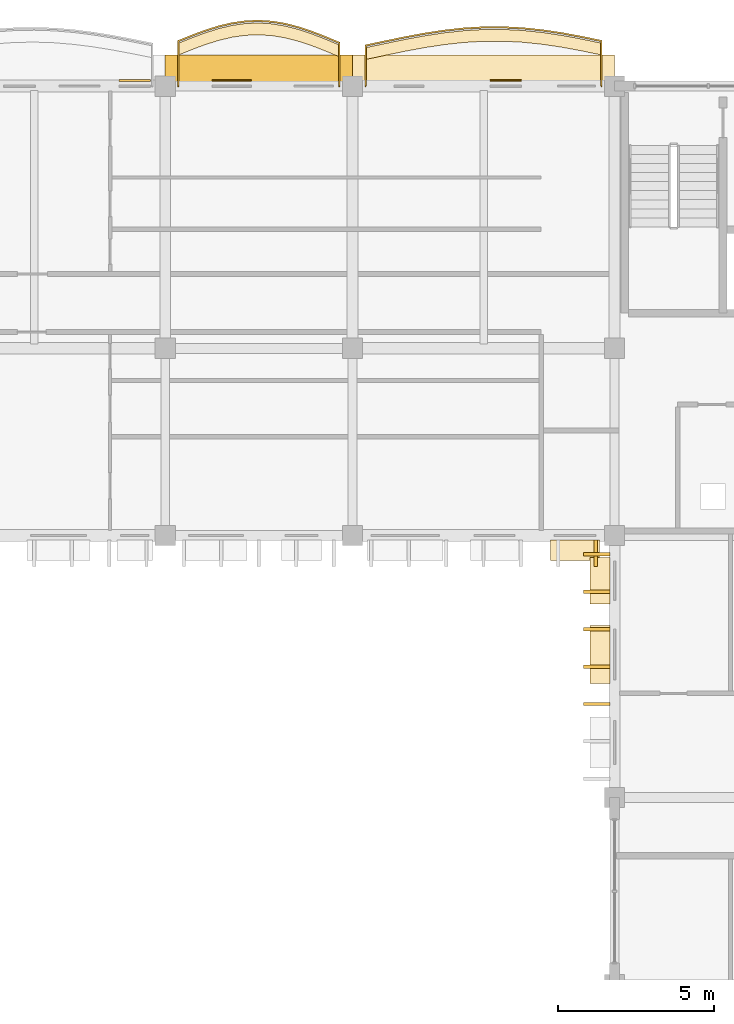
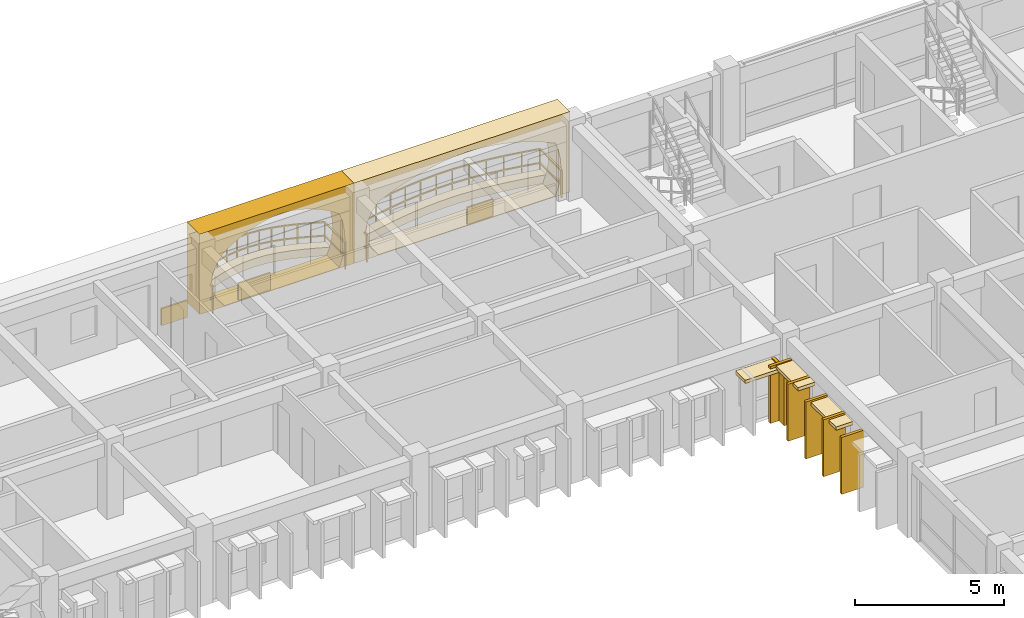
# One storey, part 73 of 76: 16 coverings, 2 railings.
"""IFC4 building model written with IfcOpenShell, lengths in metres."""

from ifc_helpers import new_model, si_unit, direction, frame, origin, origin_2d, place, context, subcontext, project, spatial, polyline, rectangle, outline, extrude, material, layer, layer_set, type_object, element, save


model = new_model("IFC4")

# Units and contexts
model_context = context("Model", 3, precision=1e-05, world=origin(), true_north=direction((0.0, 1.0)))
body_context = subcontext(model_context, "Body", "Model", "MODEL_VIEW")
ifc_project = project(units=[si_unit("LENGTHUNIT", "METRE"), si_unit("AREAUNIT", "SQUARE_METRE"), si_unit("VOLUMEUNIT", "CUBIC_METRE"), si_unit("PLANEANGLEUNIT", "RADIAN"), si_unit("MASSUNIT", "GRAM", prefix="KILO"), si_unit("THERMODYNAMICTEMPERATUREUNIT", "KELVIN")], contexts=[model_context])

# Site, building, storey
site_placement = place(None, origin())
site = spatial("IfcSite", under=ifc_project, at=site_placement, CompositionType="ELEMENT")
building_placement = place(site_placement, origin())
building = spatial("IfcBuilding", under=site, at=building_placement, Name="Thalorik Housing Commons", CompositionType="ELEMENT")
storey_placement = place(building_placement, frame((0.0, 0.0, 18.0)))
storey = spatial("IfcBuildingStorey", under=building, at=storey_placement, Name="L05", CompositionType="ELEMENT", Elevation=18.0)

# Coverings
ifc_material_1 = material(Name="Cobalt blue glazed ceramic facade tile panel", Category="masonry")
ifc_layer_1 = layer(ifc_material_1, 0.06005859375, Name="Cobalt blue glazed ceramic facade tile panel", Category="masonry")
ifc_layer_set_1 = layer_set([ifc_layer_1], Name="Cobalt blue glazed ceramic facade tile panel")
covering_type_1 = type_object("IfcCoveringType", Name="ARC-CLD-BLU-60", PredefinedType="CLADDING", material=ifc_layer_set_1)
covering_1_placement = place(storey_placement, frame((140.135009765625, 123.780029296875, 0.0498046875), z_axis=(0.0, 0.0, 1.0), x_axis=(-1.0, 0.0, 0.0)))
element("IfcCovering", 1, at=covering_1_placement, inside=storey, type_object=covering_type_1, Name="L05 De Stijl Recessed Window Spandrel 2211", PredefinedType="CLADDING", context=body_context, shape_type="SweptSolid", body=[
    extrude(rectangle(XDim=1.25, YDim=0.06005859375, at=origin_2d()), origin(), (0.0, 0.0, 1.0), 0.699951171875),
])
ifc_material_2 = material(Name="Precast concrete C40/50", Category="concrete")
ifc_layer_2 = layer(ifc_material_2, 0.85009765625, Name="Precast concrete C40/50", Category="concrete")
ifc_layer_set_2 = layer_set([ifc_layer_2], Name="Precast concrete C40/50")
covering_type_2 = type_object("IfcCoveringType", Name="ARC-CLD-CUSH-850", PredefinedType="CLADDING", material=ifc_layer_set_2)
covering_2_placement = place(storey_placement, frame((148.199951171875, 124.169921875, 0.0), z_axis=(0.0, 0.0, 1.0), x_axis=(-1.0, 0.0, 0.0)))
element("IfcCovering", 2, at=covering_2_placement, inside=storey, type_object=covering_type_2, Name="L05 White Precast Curved Cushion Bay Frame 2208", PredefinedType="CLADDING", context=body_context, shape_type="SweptSolid", body=[
    extrude(outline(polyline([(-4.199951171875, 0.0), (4.199951171875, 0.0), (4.199951171875, 3.300048828125), (-4.199951171875, 3.300048828125), (-4.199951171875, 0.0)]), holes=[polyline([(3.239990234375, 0.02490234375), (3.523193359375, 0.387451171875), (3.693359375, 0.75), (3.75, 1.112548828125), (3.693359375, 1.47509765625), (3.523193359375, 1.83740234375), (3.239990234375, 2.199951171875), (2.66748046875, 2.455810546875), (2.094970703125, 2.656494140625), (1.5224609375, 2.819091796875), (0.949951171875, 2.940185546875), (0.37744140625, 3.014892578125), (-0.195068359375, 3.0400390625), (-0.767578125, 3.014892578125), (-1.340087890625, 2.940185546875), (-1.91259765625, 2.819091796875), (-2.485107421875, 2.656494140625), (-3.0576171875, 2.455810546875), (-3.6298828125, 2.199951171875), (-3.750244140625, 1.83740234375), (-3.822509765625, 1.47509765625), (-3.8466796875, 1.112548828125), (-3.822509765625, 0.75), (-3.750244140625, 0.387451171875), (-3.6298828125, 0.02490234375), (3.239990234375, 0.02490234375)])]), frame((0.0, 0.425048828125, 0.0), z_axis=(0.0, -1.0, 0.0), x_axis=(1.0, 0.0, 0.0)), (0.0, 0.0, 1.0), 0.85009765625),
])
covering_3_placement = place(storey_placement, frame((141.0, 124.169921875, 0.0), z_axis=(0.0, 0.0, 1.0), x_axis=(-1.0, 0.0, 0.0)))
element("IfcCovering", 3, at=covering_3_placement, inside=storey, type_object=covering_type_2, Name="L05 White Precast Curved Cushion Bay Frame 2210", PredefinedType="CLADDING", context=body_context, shape_type="SweptSolid", body=[
    extrude(outline(polyline([(-3.0, 0.0), (3.0, 0.0), (3.0, 3.300048828125), (-3.0, 3.300048828125), (-3.0, 0.0)]), holes=[polyline([(2.0400390625, 0.02490234375), (2.3232421875, 0.394287109375), (2.493408203125, 0.76318359375), (2.550048828125, 1.132568359375), (2.493408203125, 1.501708984375), (2.3232421875, 1.870849609375), (2.0400390625, 2.239990234375), (1.66748046875, 2.4833984375), (1.294921875, 2.6748046875), (0.922607421875, 2.82958984375), (0.550048828125, 2.94482421875), (0.177490234375, 3.01611328125), (-0.195068359375, 3.0400390625), (-0.5673828125, 3.01611328125), (-0.93994140625, 2.94482421875), (-1.3125, 2.82958984375), (-1.68505859375, 2.6748046875), (-2.0576171875, 2.4833984375), (-2.429931640625, 2.239990234375), (-2.55029296875, 1.870849609375), (-2.62255859375, 1.501708984375), (-2.646484375, 1.132568359375), (-2.62255859375, 0.76318359375), (-2.55029296875, 0.394287109375), (-2.429931640625, 0.02490234375), (2.0400390625, 0.02490234375)])]), frame((0.0, 0.425048828125, 0.0), z_axis=(0.0, -1.0, 0.0), x_axis=(1.0, 0.0, 0.0)), (0.0, 0.0, 1.0), 0.85009765625),
])
ifc_layer_3 = layer(ifc_material_2, 0.85009765625, Name="Precast concrete C40/50", Category="concrete")
ifc_layer_set_3 = layer_set([ifc_layer_3], Name="Precast concrete C40/50")
covering_type_3 = type_object("IfcCoveringType", Name="ARC-CLD-FIN-850", PredefinedType="CLADDING", material=ifc_layer_set_3)
covering_4_placement = place(storey_placement, frame((151.800048828125, 108.6298828125, 0.0400390625), z_axis=(0.0, 0.0, 1.0), x_axis=(1.0, 0.0, 0.0)))
element("IfcCovering", 4, at=covering_4_placement, inside=storey, type_object=covering_type_3, Name="L05 Courtyard Precast Vertical Brise-Soleil Fin 2308", PredefinedType="CLADDING", context=body_context, shape_type="SweptSolid", body=[
    extrude(rectangle(XDim=0.110107421875, YDim=0.85009765625, at=origin_2d()), origin(), (0.0, 0.0, 1.0), 2.294921875),
])
for number, where, z_axis, x_axis, name in (
    (5, (151.830078125, 108.60009765625, 0.0400390625), (0.0, 0.0, 1.0), (0.0, -1.0, 0.0), "L05 Courtyard Precast Vertical Brise-Soleil Fin 2312"),
    (6, (151.830078125, 107.39990234375, 0.0400390625), (0.0, 0.0, 1.0), (0.0, -1.0, 0.0), "L05 Courtyard Precast Vertical Brise-Soleil Fin 2313"),
    (7, (151.830078125, 106.199951171875, 0.0400390625), (0.0, 0.0, 1.0), (0.0, -1.0, 0.0), "L05 Courtyard Precast Vertical Brise-Soleil Fin 2314"),
    (8, (151.830078125, 105.0, 0.0400390625), (0.0, 0.0, 1.0), (0.0, -1.0, 0.0), "L05 Courtyard Precast Vertical Brise-Soleil Fin 2315"),
    (9, (151.830078125, 103.800048828125, 0.0400390625), (0.0, 0.0, 1.0), (0.0, -1.0, 0.0), "L05 Courtyard Precast Vertical Brise-Soleil Fin 2316"),
):
    element("IfcCovering", number, at=place(storey_placement, frame(where, z_axis=z_axis, x_axis=x_axis)), inside=storey, type_object=covering_type_3, Name=name, PredefinedType="CLADDING", context=body_context, shape_type="SweptSolid", body=[
        extrude(rectangle(XDim=0.110107421875, YDim=0.85009765625, at=origin_2d()), origin(), (0.0, 0.0, 1.0), 2.344970703125),
    ])
ifc_layer_4 = layer(ifc_material_2, 0.64990234375, Name="Precast concrete C40/50", Category="concrete")
ifc_layer_set_4 = layer_set([ifc_layer_4], Name="Precast concrete C40/50")
covering_type_4 = type_object("IfcCoveringType", Name="ARC-CLD-HOOD-650", PredefinedType="CLADDING", material=ifc_layer_set_4)
covering_5_placement = place(storey_placement, frame((151.1298828125, 108.72998046875, 2.14013671875), z_axis=(0.0, 0.0, 1.0), x_axis=(1.0, 0.0, 0.0)))
element("IfcCovering", 10, at=covering_5_placement, inside=storey, type_object=covering_type_4, Name="L05 Courtyard Precast Window Sun-Hood 2311", PredefinedType="CLADDING", context=body_context, shape_type="SweptSolid", body=[
    extrude(rectangle(XDim=1.56005859375, YDim=0.64990234375, at=origin_2d()), origin(), (0.0, 0.0, 1.0), 0.139892578125),
])
covering_6_placement = place(storey_placement, frame((151.929931640625, 107.757568359375, 2.240234375), z_axis=(0.0, 0.0, 1.0), x_axis=(0.0, -1.0, 0.0)))
element("IfcCovering", 11, at=covering_6_placement, inside=storey, type_object=covering_type_4, Name="L05 Courtyard Precast Window Sun-Hood 2319", PredefinedType="CLADDING", context=body_context, shape_type="SweptSolid", body=[
    extrude(rectangle(XDim=1.489990234375, YDim=0.64990234375, at=origin_2d()), origin(), (0.0, 0.0, 1.0), 0.139892578125),
])
covering_7_placement = place(storey_placement, frame((151.929931640625, 105.392578125, 2.169921875), z_axis=(0.0, 0.0, 1.0), x_axis=(0.0, -1.0, 0.0)))
element("IfcCovering", 12, at=covering_7_placement, inside=storey, type_object=covering_type_4, Name="L05 Courtyard Precast Window Sun-Hood 2320", PredefinedType="CLADDING", context=body_context, shape_type="SweptSolid", body=[
    extrude(rectangle(XDim=1.860107421875, YDim=0.64990234375, at=origin_2d()), origin(), (0.0, 0.0, 1.0), 0.139892578125),
])
ifc_material_3 = material(Name="Terracotta red mineral fibre-cement panel", Category="masonry")
ifc_layer_5 = layer(ifc_material_3, 0.054931640625, Name="Terracotta red mineral fibre-cement panel", Category="masonry")
ifc_layer_set_5 = layer_set([ifc_layer_5], Name="Terracotta red mineral fibre-cement panel")
covering_type_5 = type_object("IfcCoveringType", Name="ARC-CLD-RED-55", PredefinedType="CLADDING", material=ifc_layer_set_5)
covering_8_placement = place(storey_placement, frame((148.909912109375, 123.777587890625, 0.0498046875), z_axis=(0.0, 0.0, 1.0), x_axis=(-1.0, 0.0, 0.0)))
element("IfcCovering", 13, at=covering_8_placement, inside=storey, type_object=covering_type_5, Name="L05 De Stijl Recessed Window Spandrel 2209", PredefinedType="CLADDING", context=body_context, shape_type="SweptSolid", body=[
    extrude(rectangle(XDim=1.0, YDim=0.054931640625, at=origin_2d()), origin(), (0.0, 0.0, 1.0), 0.699951171875),
])
ifc_material_4 = material(Name="Mineral ochre architectural terracotta panel", Category="masonry")
ifc_layer_6 = layer(ifc_material_4, 0.06494140625, Name="Mineral ochre architectural terracotta panel", Category="masonry")
ifc_layer_set_6 = layer_set([ifc_layer_6], Name="Mineral ochre architectural terracotta panel")
covering_type_6 = type_object("IfcCoveringType", Name="ARC-CLD-YEL-65", PredefinedType="CLADDING", material=ifc_layer_set_6)
covering_9_placement = place(storey_placement, frame((137.02099609375, 123.782470703125, 0.0498046875), z_axis=(0.0, 0.0, 1.0), x_axis=(-1.0, 0.0, 0.0)))
element("IfcCovering", 14, at=covering_9_placement, inside=storey, type_object=covering_type_6, Name="L05 De Stijl Recessed Window Spandrel 2213", PredefinedType="CLADDING", context=body_context, shape_type="SweptSolid", body=[
    extrude(rectangle(XDim=1.0, YDim=0.06494140625, at=origin_2d()), origin(), (0.0, 0.0, 1.0), 0.699951171875),
])
ifc_material_5 = material(Name="Planted vegetated substrate and terracotta trough", Category="masonry")
ifc_layer_7 = layer(ifc_material_5, 0.340087890625, Name="Planted vegetated substrate and terracotta trough", Category="masonry")
ifc_layer_set_7 = layer_set([ifc_layer_7], Name="Planted vegetated substrate and terracotta trough")
covering_type_7 = type_object("IfcCoveringType", Name="ARC-COV-PLANTER", PredefinedType="USERDEFINED", material=ifc_layer_set_7)
covering_10_placement = place(storey_placement, origin())
element("IfcCovering", 15, at=covering_10_placement, inside=storey, type_object=covering_type_7, Name="L05 Balcony Slab-Edge Planted Trough 5476", ObjectType="PLANTER", PredefinedType="USERDEFINED", context=body_context, shape_type="SweptSolid", body=[
    extrude(outline(polyline([(143.580078125, 124.920654296875), (143.14990234375, 125.1005859375), (142.719970703125, 125.26806640625), (142.2900390625, 125.41259765625), (141.860107421875, 125.524658203125), (141.429931640625, 125.597412109375), (141.0, 125.6259765625), (140.570068359375, 125.60888671875), (140.139892578125, 125.547119140625), (139.7099609375, 125.4453125), (139.280029296875, 125.31005859375), (138.85009765625, 125.150146484375), (138.419921875, 124.976318359375), (138.419921875, 124.59619140625), (138.85009765625, 124.770263671875), (139.280029296875, 124.93017578125), (139.7099609375, 125.0654296875), (140.139892578125, 125.167236328125), (140.570068359375, 125.228759765625), (141.0, 125.245849609375), (141.429931640625, 125.21728515625), (141.860107421875, 125.144775390625), (142.2900390625, 125.032470703125), (142.719970703125, 124.88818359375), (143.14990234375, 124.720458984375), (143.580078125, 124.540771484375), (143.580078125, 124.920654296875)])), origin(), (0.0, 0.0, 1.0), 0.340087890625),
])
covering_11_placement = place(storey_placement, origin())
element("IfcCovering", 16, at=covering_11_placement, inside=storey, type_object=covering_type_7, Name="L05 Balcony Slab-Edge Planted Trough 5477", ObjectType="PLANTER", PredefinedType="USERDEFINED", context=body_context, shape_type="SweptSolid", body=[
    extrude(outline(polyline([(151.97998046875, 124.978515625), (151.35009765625, 125.110107421875), (150.719970703125, 125.226806640625), (150.090087890625, 125.32080078125), (149.4599609375, 125.386474609375), (148.830078125, 125.4189453125), (148.199951171875, 125.41650390625), (147.570068359375, 125.379638671875), (146.93994140625, 125.310791015625), (146.31005859375, 125.214599609375), (145.679931640625, 125.09765625), (145.050048828125, 124.968017578125), (144.419921875, 124.834228515625), (144.419921875, 124.4541015625), (145.050048828125, 124.587890625), (145.679931640625, 124.717529296875), (146.31005859375, 124.83447265625), (146.93994140625, 124.9306640625), (147.570068359375, 124.99951171875), (148.199951171875, 125.03662109375), (148.830078125, 125.038818359375), (149.4599609375, 125.00634765625), (150.090087890625, 124.94091796875), (150.719970703125, 124.8466796875), (151.35009765625, 124.72998046875), (151.97998046875, 124.5986328125), (151.97998046875, 124.978515625)])), origin(), (0.0, 0.0, 1.0), 0.340087890625),
])

# Railings
ifc_material_6 = material(Name="Steel S355", Category="steel")
railing_type_1 = type_object("IfcRailingType", Name="ARC-RL-BAL-112", PredefinedType="BALUSTRADE", material=ifc_material_6)
railing_1_placement = place(storey_placement, frame((143.580078125, 123.60009765625, 0.0)))
element("IfcRailing", 17, at=railing_1_placement, inside=storey, type_object=railing_type_1, Name="L05 Cushion Balcony Guardrail 160", PredefinedType="BALUSTRADE", context=body_context, shape_type="SweptSolid", body=[
    extrude(rectangle(XDim=0.050048828125, YDim=0.050048828125, at=origin_2d()), frame((0.0, 0.0, 1.09521484375), z_axis=(0.0, 1.0, 0.0), x_axis=(-1.0, 0.0, 0.0)), (0.0, 0.0, 1.0), 1.390625),
    extrude(rectangle(XDim=0.050048828125, YDim=0.050048828125, at=origin_2d()), frame((0.0, 0.0, 0.53515625), z_axis=(0.0, 1.0, 0.0), x_axis=(-1.0, 0.0, 0.0)), (0.0, 0.0, 1.0), 1.390625),
    extrude(rectangle(XDim=0.050048828125, YDim=0.050048828125, at=origin_2d()), frame((0.0, 1.390625, 1.09521484375), z_axis=(-0.922735699508, 0.385433300135, 0.0), x_axis=(-0.385433300135, -0.922735699508, 0.0)), (0.0, 0.0, 1.0), 0.46630859375),
    extrude(rectangle(XDim=0.050048828125, YDim=0.050048828125, at=origin_2d()), frame((0.0, 1.390625, 0.53515625), z_axis=(-0.922735699508, 0.385433300135, 0.0), x_axis=(-0.385433300135, -0.922735699508, 0.0)), (0.0, 0.0, 1.0), 0.46630859375),
    extrude(rectangle(XDim=0.050048828125, YDim=0.050048828125, at=origin_2d()), frame((-0.43017578125, 1.5703125, 1.09521484375), z_axis=(-0.931616942852, 0.363441703429, 0.0), x_axis=(-0.363441703429, -0.931616942852, 0.0)), (0.0, 0.0, 1.0), 0.46142578125),
    extrude(rectangle(XDim=0.050048828125, YDim=0.050048828125, at=origin_2d()), frame((-0.43017578125, 1.5703125, 0.53515625), z_axis=(-0.931616942852, 0.363441703429, 0.0), x_axis=(-0.363441703429, -0.931616942852, 0.0)), (0.0, 0.0, 1.0), 0.46142578125),
    extrude(rectangle(XDim=0.050048828125, YDim=0.050048828125, at=origin_2d()), frame((-0.860107421875, 1.738037109375, 1.09521484375), z_axis=(-0.948035297772, 0.318165168077, 0.0), x_axis=(-0.318165168077, -0.948035297772, 0.0)), (0.0, 0.0, 1.0), 0.45361328125),
    extrude(rectangle(XDim=0.050048828125, YDim=0.050048828125, at=origin_2d()), frame((-0.860107421875, 1.738037109375, 0.53515625), z_axis=(-0.948035297772, 0.318165168077, 0.0), x_axis=(-0.318165168077, -0.948035297772, 0.0)), (0.0, 0.0, 1.0), 0.45361328125),
    extrude(rectangle(XDim=0.050048828125, YDim=0.050048828125, at=origin_2d()), frame((-1.2900390625, 1.88232421875, 1.09521484375), z_axis=(-0.967535537468, 0.252735006948, 0.0), x_axis=(-0.252735006948, -0.967535537468, 0.0)), (0.0, 0.0, 1.0), 0.4443359375),
    extrude(rectangle(XDim=0.050048828125, YDim=0.050048828125, at=origin_2d()), frame((-1.2900390625, 1.88232421875, 0.53515625), z_axis=(-0.967535537468, 0.252735006948, 0.0), x_axis=(-0.252735006948, -0.967535537468, 0.0)), (0.0, 0.0, 1.0), 0.4443359375),
    extrude(rectangle(XDim=0.050048828125, YDim=0.050048828125, at=origin_2d()), frame((-1.719970703125, 1.99462890625, 1.09521484375), z_axis=(-0.98608974454, 0.166213765113, 0.0), x_axis=(-0.166213765113, -0.98608974454, 0.0)), (0.0, 0.0, 1.0), 0.436279296875),
    extrude(rectangle(XDim=0.050048828125, YDim=0.050048828125, at=origin_2d()), frame((-1.719970703125, 1.99462890625, 0.53515625), z_axis=(-0.98608974454, 0.166213765113, 0.0), x_axis=(-0.166213765113, -0.98608974454, 0.0)), (0.0, 0.0, 1.0), 0.436279296875),
    extrude(rectangle(XDim=0.050048828125, YDim=0.050048828125, at=origin_2d()), frame((-2.150146484375, 2.067138671875, 1.09521484375), z_axis=(-0.997800175086, 0.06629336768, 0.0), x_axis=(-0.06629336768, -0.997800175086, 0.0)), (0.0, 0.0, 1.0), 0.430908203125),
    extrude(rectangle(XDim=0.050048828125, YDim=0.050048828125, at=origin_2d()), frame((-2.150146484375, 2.067138671875, 0.53515625), z_axis=(-0.997800175086, 0.06629336768, 0.0), x_axis=(-0.06629336768, -0.997800175086, 0.0)), (0.0, 0.0, 1.0), 0.430908203125),
    extrude(rectangle(XDim=0.050048828125, YDim=0.050048828125, at=origin_2d()), frame((-2.580078125, 2.095703125, 1.09521484375), z_axis=(-0.999210898113, -0.039718775053, 0.0), x_axis=(0.039718775053, -0.999210898113, 0.0)), (0.0, 0.0, 1.0), 0.43017578125),
    extrude(rectangle(XDim=0.050048828125, YDim=0.050048828125, at=origin_2d()), frame((-2.580078125, 2.095703125, 0.53515625), z_axis=(-0.999210898113, -0.039718775053, 0.0), x_axis=(0.039718775053, -0.999210898113, 0.0)), (0.0, 0.0, 1.0), 0.43017578125),
    extrude(rectangle(XDim=0.050048828125, YDim=0.050048828125, at=origin_2d()), frame((-3.010009765625, 2.07861328125, 1.09521484375), z_axis=(-0.989927008359, -0.141578664079, 0.0), x_axis=(0.141578664079, -0.989927008359, 0.0)), (0.0, 0.0, 1.0), 0.4345703125),
    extrude(rectangle(XDim=0.050048828125, YDim=0.050048828125, at=origin_2d()), frame((-3.010009765625, 2.07861328125, 0.53515625), z_axis=(-0.989927008359, -0.141578664079, 0.0), x_axis=(0.141578664079, -0.989927008359, 0.0)), (0.0, 0.0, 1.0), 0.4345703125),
    extrude(rectangle(XDim=0.050048828125, YDim=0.050048828125, at=origin_2d()), frame((-3.440185546875, 2.01708984375, 1.09521484375), z_axis=(-0.973090069964, -0.230425076192, 0.0), x_axis=(0.230425076192, -0.973090069964, 0.0)), (0.0, 0.0, 1.0), 0.44189453125),
    extrude(rectangle(XDim=0.050048828125, YDim=0.050048828125, at=origin_2d()), frame((-3.440185546875, 2.01708984375, 0.53515625), z_axis=(-0.973090069964, -0.230425076192, 0.0), x_axis=(0.230425076192, -0.973090069964, 0.0)), (0.0, 0.0, 1.0), 0.44189453125),
    extrude(rectangle(XDim=0.050048828125, YDim=0.050048828125, at=origin_2d()), frame((-3.8701171875, 1.915283203125, 1.09521484375), z_axis=(-0.953909569084, -0.300094208559, 0.0), x_axis=(0.300094208559, -0.953909569084, 0.0)), (0.0, 0.0, 1.0), 0.45068359375),
    extrude(rectangle(XDim=0.050048828125, YDim=0.050048828125, at=origin_2d()), frame((-3.8701171875, 1.915283203125, 0.53515625), z_axis=(-0.953909569084, -0.300094208559, 0.0), x_axis=(0.300094208559, -0.953909569084, 0.0)), (0.0, 0.0, 1.0), 0.45068359375),
    extrude(rectangle(XDim=0.050048828125, YDim=0.050048828125, at=origin_2d()), frame((-4.300048828125, 1.780029296875, 1.09521484375), z_axis=(-0.93726634386, -0.348614114269, 0.0), x_axis=(0.348614114269, -0.93726634386, 0.0)), (0.0, 0.0, 1.0), 0.458740234375),
    extrude(rectangle(XDim=0.050048828125, YDim=0.050048828125, at=origin_2d()), frame((-4.300048828125, 1.780029296875, 0.53515625), z_axis=(-0.93726634386, -0.348614114269, 0.0), x_axis=(0.348614114269, -0.93726634386, 0.0)), (0.0, 0.0, 1.0), 0.458740234375),
    extrude(rectangle(XDim=0.050048828125, YDim=0.050048828125, at=origin_2d()), frame((-4.72998046875, 1.6201171875, 1.09521484375), z_axis=(-0.927164518646, -0.374654447943, 0.0), x_axis=(0.374654447943, -0.927164518646, 0.0)), (0.0, 0.0, 1.0), 0.4638671875),
    extrude(rectangle(XDim=0.050048828125, YDim=0.050048828125, at=origin_2d()), frame((-4.72998046875, 1.6201171875, 0.53515625), z_axis=(-0.927164518646, -0.374654447943, 0.0), x_axis=(0.374654447943, -0.927164518646, 0.0)), (0.0, 0.0, 1.0), 0.4638671875),
    extrude(rectangle(XDim=0.050048828125, YDim=0.050048828125, at=origin_2d()), frame((-5.16015625, 1.4462890625, 1.09521484375), z_axis=(0.0, -1.0, 0.0), x_axis=(1.0, 0.0, 0.0)), (0.0, 0.0, 1.0), 1.4462890625),
    extrude(rectangle(XDim=0.050048828125, YDim=0.050048828125, at=origin_2d()), frame((-5.16015625, 1.4462890625, 0.53515625), z_axis=(0.0, -1.0, 0.0), x_axis=(1.0, 0.0, 0.0)), (0.0, 0.0, 1.0), 1.4462890625),
    extrude(rectangle(XDim=0.0419921875, YDim=0.0419921875, at=origin_2d()), origin(), (0.0, 0.0, 1.0), 1.070068359375),
    extrude(rectangle(XDim=0.0419921875, YDim=0.0419921875, at=origin_2d()), frame((0.0, 1.390625, 0.0)), (0.0, 0.0, 1.0), 1.070068359375),
    extrude(rectangle(XDim=0.0419921875, YDim=0.0419921875, at=origin_2d()), frame((-0.43017578125, 1.5703125, 0.0)), (0.0, 0.0, 1.0), 1.070068359375),
    extrude(rectangle(XDim=0.0419921875, YDim=0.0419921875, at=origin_2d()), frame((-0.860107421875, 1.738037109375, 0.0)), (0.0, 0.0, 1.0), 1.070068359375),
    extrude(rectangle(XDim=0.0419921875, YDim=0.0419921875, at=origin_2d()), frame((-1.2900390625, 1.88232421875, 0.0)), (0.0, 0.0, 1.0), 1.070068359375),
    extrude(rectangle(XDim=0.0419921875, YDim=0.0419921875, at=origin_2d()), frame((-1.719970703125, 1.99462890625, 0.0)), (0.0, 0.0, 1.0), 1.070068359375),
    extrude(rectangle(XDim=0.0419921875, YDim=0.0419921875, at=origin_2d()), frame((-2.150146484375, 2.067138671875, 0.0)), (0.0, 0.0, 1.0), 1.070068359375),
    extrude(rectangle(XDim=0.0419921875, YDim=0.0419921875, at=origin_2d()), frame((-2.580078125, 2.095703125, 0.0)), (0.0, 0.0, 1.0), 1.070068359375),
    extrude(rectangle(XDim=0.0419921875, YDim=0.0419921875, at=origin_2d()), frame((-3.010009765625, 2.07861328125, 0.0)), (0.0, 0.0, 1.0), 1.070068359375),
    extrude(rectangle(XDim=0.0419921875, YDim=0.0419921875, at=origin_2d()), frame((-3.440185546875, 2.01708984375, 0.0)), (0.0, 0.0, 1.0), 1.070068359375),
    extrude(rectangle(XDim=0.0419921875, YDim=0.0419921875, at=origin_2d()), frame((-3.8701171875, 1.915283203125, 0.0)), (0.0, 0.0, 1.0), 1.070068359375),
    extrude(rectangle(XDim=0.0419921875, YDim=0.0419921875, at=origin_2d()), frame((-4.300048828125, 1.780029296875, 0.0)), (0.0, 0.0, 1.0), 1.070068359375),
    extrude(rectangle(XDim=0.0419921875, YDim=0.0419921875, at=origin_2d()), frame((-4.72998046875, 1.6201171875, 0.0)), (0.0, 0.0, 1.0), 1.070068359375),
    extrude(rectangle(XDim=0.0419921875, YDim=0.0419921875, at=origin_2d()), frame((-5.16015625, 1.4462890625, 0.0)), (0.0, 0.0, 1.0), 1.070068359375),
    extrude(rectangle(XDim=0.0419921875, YDim=0.0419921875, at=origin_2d()), frame((-5.16015625, 0.0, 0.0)), (0.0, 0.0, 1.0), 1.070068359375),
])
railing_type_2 = type_object("IfcRailingType", Name="ARC-RL-BAL-115", PredefinedType="BALUSTRADE", material=ifc_material_6)
railing_2_placement = place(storey_placement, frame((151.97998046875, 123.60009765625, 0.0)))
element("IfcRailing", 18, at=railing_2_placement, inside=storey, type_object=railing_type_2, Name="L05 Cushion Balcony Guardrail 161", PredefinedType="BALUSTRADE", context=body_context, shape_type="SweptSolid", body=[
    extrude(rectangle(XDim=0.050048828125, YDim=0.050048828125, at=origin_2d()), frame((0.0, 0.0, 1.125), z_axis=(0.0, 1.0, 0.0), x_axis=(-1.0, 0.0, 0.0)), (0.0, 0.0, 1.0), 1.448486328125),
    extrude(rectangle(XDim=0.050048828125, YDim=0.050048828125, at=origin_2d()), frame((0.0, 0.0, 0.5498046875), z_axis=(0.0, 1.0, 0.0), x_axis=(-1.0, 0.0, 0.0)), (0.0, 0.0, 1.0), 1.448486328125),
    extrude(rectangle(XDim=0.050048828125, YDim=0.050048828125, at=origin_2d()), frame((0.0, 1.448486328125, 1.125), z_axis=(-0.978942522478, 0.204136076393, 0.0), x_axis=(-0.204136076393, -0.978942522478, 0.0)), (0.0, 0.0, 1.0), 0.643310546875),
    extrude(rectangle(XDim=0.050048828125, YDim=0.050048828125, at=origin_2d()), frame((0.0, 1.448486328125, 0.5498046875), z_axis=(-0.978942522478, 0.204136076393, 0.0), x_axis=(-0.204136076393, -0.978942522478, 0.0)), (0.0, 0.0, 1.0), 0.643310546875),
    extrude(rectangle(XDim=0.050048828125, YDim=0.050048828125, at=origin_2d()), frame((-0.6298828125, 1.579833984375, 1.125), z_axis=(-0.983279478574, 0.18210290227, 0.0), x_axis=(-0.18210290227, -0.983279478574, 0.0)), (0.0, 0.0, 1.0), 0.640869140625),
    extrude(rectangle(XDim=0.050048828125, YDim=0.050048828125, at=origin_2d()), frame((-0.6298828125, 1.579833984375, 0.5498046875), z_axis=(-0.983279478574, 0.18210290227, 0.0), x_axis=(-0.18210290227, -0.983279478574, 0.0)), (0.0, 0.0, 1.0), 0.640869140625),
    extrude(rectangle(XDim=0.050048828125, YDim=0.050048828125, at=origin_2d()), frame((-1.260009765625, 1.696533203125, 1.125), z_axis=(-0.988992516102, 0.147965546983, 0.0), x_axis=(-0.147965546983, -0.988992516102, 0.0)), (0.0, 0.0, 1.0), 0.636962890625),
    extrude(rectangle(XDim=0.050048828125, YDim=0.050048828125, at=origin_2d()), frame((-1.260009765625, 1.696533203125, 0.5498046875), z_axis=(-0.988992516102, 0.147965546983, 0.0), x_axis=(-0.147965546983, -0.988992516102, 0.0)), (0.0, 0.0, 1.0), 0.636962890625),
    extrude(rectangle(XDim=0.050048828125, YDim=0.050048828125, at=origin_2d()), frame((-1.889892578125, 1.790771484375, 1.125), z_axis=(-0.994652276505, 0.103280437855, 0.0), x_axis=(-0.103280437855, -0.994652276505, 0.0)), (0.0, 0.0, 1.0), 0.633544921875),
    extrude(rectangle(XDim=0.050048828125, YDim=0.050048828125, at=origin_2d()), frame((-1.889892578125, 1.790771484375, 0.5498046875), z_axis=(-0.994652276505, 0.103280437855, 0.0), x_axis=(-0.103280437855, -0.994652276505, 0.0)), (0.0, 0.0, 1.0), 0.633544921875),
    extrude(rectangle(XDim=0.050048828125, YDim=0.050048828125, at=origin_2d()), frame((-2.52001953125, 1.856201171875, 1.125), z_axis=(-0.998653945563, 0.051868073142, 0.0), x_axis=(-0.051868073142, -0.998653945563, 0.0)), (0.0, 0.0, 1.0), 0.630615234375),
    extrude(rectangle(XDim=0.050048828125, YDim=0.050048828125, at=origin_2d()), frame((-2.52001953125, 1.856201171875, 0.5498046875), z_axis=(-0.998653945563, 0.051868073142, 0.0), x_axis=(-0.051868073142, -0.998653945563, 0.0)), (0.0, 0.0, 1.0), 0.630615234375),
    extrude(rectangle(XDim=0.050048828125, YDim=0.050048828125, at=origin_2d()), frame((-3.14990234375, 1.888916015625, 1.125), z_axis=(-0.999992494336, -0.00387443818, 0.0), x_axis=(0.00387443818, -0.999992494336, 0.0)), (0.0, 0.0, 1.0), 0.630126953125),
    extrude(rectangle(XDim=0.050048828125, YDim=0.050048828125, at=origin_2d()), frame((-3.14990234375, 1.888916015625, 0.5498046875), z_axis=(-0.999992494336, -0.00387443818, 0.0), x_axis=(0.00387443818, -0.999992494336, 0.0)), (0.0, 0.0, 1.0), 0.630126953125),
    extrude(rectangle(XDim=0.050048828125, YDim=0.050048828125, at=origin_2d()), frame((-3.780029296875, 1.886474609375, 1.125), z_axis=(-0.998291674977, -0.058427148419, 0.0), x_axis=(0.058427148419, -0.998291674977, 0.0)), (0.0, 0.0, 1.0), 0.630859375),
    extrude(rectangle(XDim=0.050048828125, YDim=0.050048828125, at=origin_2d()), frame((-3.780029296875, 1.886474609375, 0.5498046875), z_axis=(-0.998291674977, -0.058427148419, 0.0), x_axis=(0.058427148419, -0.998291674977, 0.0)), (0.0, 0.0, 1.0), 0.630859375),
    extrude(rectangle(XDim=0.050048828125, YDim=0.050048828125, at=origin_2d()), frame((-4.409912109375, 1.849609375, 1.125), z_axis=(-0.994042387071, -0.108994186572, 0.0), x_axis=(0.108994186572, -0.994042387071, 0.0)), (0.0, 0.0, 1.0), 0.6337890625),
    extrude(rectangle(XDim=0.050048828125, YDim=0.050048828125, at=origin_2d()), frame((-4.409912109375, 1.849609375, 0.5498046875), z_axis=(-0.994042387071, -0.108994186572, 0.0), x_axis=(0.108994186572, -0.994042387071, 0.0)), (0.0, 0.0, 1.0), 0.6337890625),
    extrude(rectangle(XDim=0.050048828125, YDim=0.050048828125, at=origin_2d()), frame((-5.0400390625, 1.780517578125, 1.125), z_axis=(-0.988539414432, -0.150962995847, 0.0), x_axis=(0.150962995847, -0.988539414432, 0.0)), (0.0, 0.0, 1.0), 0.63720703125),
    extrude(rectangle(XDim=0.050048828125, YDim=0.050048828125, at=origin_2d()), frame((-5.0400390625, 1.780517578125, 0.5498046875), z_axis=(-0.988539414432, -0.150962995847, 0.0), x_axis=(0.150962995847, -0.988539414432, 0.0)), (0.0, 0.0, 1.0), 0.63720703125),
    extrude(rectangle(XDim=0.050048828125, YDim=0.050048828125, at=origin_2d()), frame((-5.669921875, 1.684326171875, 1.125), z_axis=(-0.983211198872, -0.182471198861, 0.0), x_axis=(0.182471198861, -0.983211198872, 0.0)), (0.0, 0.0, 1.0), 0.640869140625),
    extrude(rectangle(XDim=0.050048828125, YDim=0.050048828125, at=origin_2d()), frame((-5.669921875, 1.684326171875, 0.5498046875), z_axis=(-0.983211198872, -0.182471198861, 0.0), x_axis=(0.182471198861, -0.983211198872, 0.0)), (0.0, 0.0, 1.0), 0.640869140625),
    extrude(rectangle(XDim=0.050048828125, YDim=0.050048828125, at=origin_2d()), frame((-6.300048828125, 1.5673828125, 1.125), z_axis=(-0.979470273401, -0.201588649293, 0.0), x_axis=(0.201588649293, -0.979470273401, 0.0)), (0.0, 0.0, 1.0), 0.64306640625),
    extrude(rectangle(XDim=0.050048828125, YDim=0.050048828125, at=origin_2d()), frame((-6.300048828125, 1.5673828125, 0.5498046875), z_axis=(-0.979470273401, -0.201588649293, 0.0), x_axis=(0.201588649293, -0.979470273401, 0.0)), (0.0, 0.0, 1.0), 0.64306640625),
    extrude(rectangle(XDim=0.050048828125, YDim=0.050048828125, at=origin_2d()), frame((-6.929931640625, 1.437744140625, 1.125), z_axis=(-0.978271412584, -0.207328346642, 0.0), x_axis=(0.207328346642, -0.978271412584, 0.0)), (0.0, 0.0, 1.0), 0.64404296875),
    extrude(rectangle(XDim=0.050048828125, YDim=0.050048828125, at=origin_2d()), frame((-6.929931640625, 1.437744140625, 0.5498046875), z_axis=(-0.978271412584, -0.207328346642, 0.0), x_axis=(0.207328346642, -0.978271412584, 0.0)), (0.0, 0.0, 1.0), 0.64404296875),
    extrude(rectangle(XDim=0.050048828125, YDim=0.050048828125, at=origin_2d()), frame((-7.56005859375, 1.30419921875, 1.125), z_axis=(0.0, -1.0, 0.0), x_axis=(1.0, 0.0, 0.0)), (0.0, 0.0, 1.0), 1.30419921875),
    extrude(rectangle(XDim=0.050048828125, YDim=0.050048828125, at=origin_2d()), frame((-7.56005859375, 1.30419921875, 0.5498046875), z_axis=(0.0, -1.0, 0.0), x_axis=(1.0, 0.0, 0.0)), (0.0, 0.0, 1.0), 1.30419921875),
    extrude(rectangle(XDim=0.0419921875, YDim=0.0419921875, at=origin_2d()), origin(), (0.0, 0.0, 1.0), 1.099853515625),
    extrude(rectangle(XDim=0.0419921875, YDim=0.0419921875, at=origin_2d()), frame((0.0, 1.448486328125, 0.0)), (0.0, 0.0, 1.0), 1.099853515625),
    extrude(rectangle(XDim=0.0419921875, YDim=0.0419921875, at=origin_2d()), frame((-0.6298828125, 1.579833984375, 0.0)), (0.0, 0.0, 1.0), 1.099853515625),
    extrude(rectangle(XDim=0.0419921875, YDim=0.0419921875, at=origin_2d()), frame((-1.260009765625, 1.696533203125, 0.0)), (0.0, 0.0, 1.0), 1.099853515625),
    extrude(rectangle(XDim=0.0419921875, YDim=0.0419921875, at=origin_2d()), frame((-1.889892578125, 1.790771484375, 0.0)), (0.0, 0.0, 1.0), 1.099853515625),
    extrude(rectangle(XDim=0.0419921875, YDim=0.0419921875, at=origin_2d()), frame((-2.52001953125, 1.856201171875, 0.0)), (0.0, 0.0, 1.0), 1.099853515625),
    extrude(rectangle(XDim=0.0419921875, YDim=0.0419921875, at=origin_2d()), frame((-3.14990234375, 1.888916015625, 0.0)), (0.0, 0.0, 1.0), 1.099853515625),
    extrude(rectangle(XDim=0.0419921875, YDim=0.0419921875, at=origin_2d()), frame((-3.780029296875, 1.886474609375, 0.0)), (0.0, 0.0, 1.0), 1.099853515625),
    extrude(rectangle(XDim=0.0419921875, YDim=0.0419921875, at=origin_2d()), frame((-4.409912109375, 1.849609375, 0.0)), (0.0, 0.0, 1.0), 1.099853515625),
    extrude(rectangle(XDim=0.0419921875, YDim=0.0419921875, at=origin_2d()), frame((-5.0400390625, 1.780517578125, 0.0)), (0.0, 0.0, 1.0), 1.099853515625),
    extrude(rectangle(XDim=0.0419921875, YDim=0.0419921875, at=origin_2d()), frame((-5.669921875, 1.684326171875, 0.0)), (0.0, 0.0, 1.0), 1.099853515625),
    extrude(rectangle(XDim=0.0419921875, YDim=0.0419921875, at=origin_2d()), frame((-6.300048828125, 1.5673828125, 0.0)), (0.0, 0.0, 1.0), 1.099853515625),
    extrude(rectangle(XDim=0.0419921875, YDim=0.0419921875, at=origin_2d()), frame((-6.929931640625, 1.437744140625, 0.0)), (0.0, 0.0, 1.0), 1.099853515625),
    extrude(rectangle(XDim=0.0419921875, YDim=0.0419921875, at=origin_2d()), frame((-7.56005859375, 1.30419921875, 0.0)), (0.0, 0.0, 1.0), 1.099853515625),
    extrude(rectangle(XDim=0.0419921875, YDim=0.0419921875, at=origin_2d()), frame((-7.56005859375, 0.0, 0.0)), (0.0, 0.0, 1.0), 1.099853515625),
])

save(model, "model.ifc")
